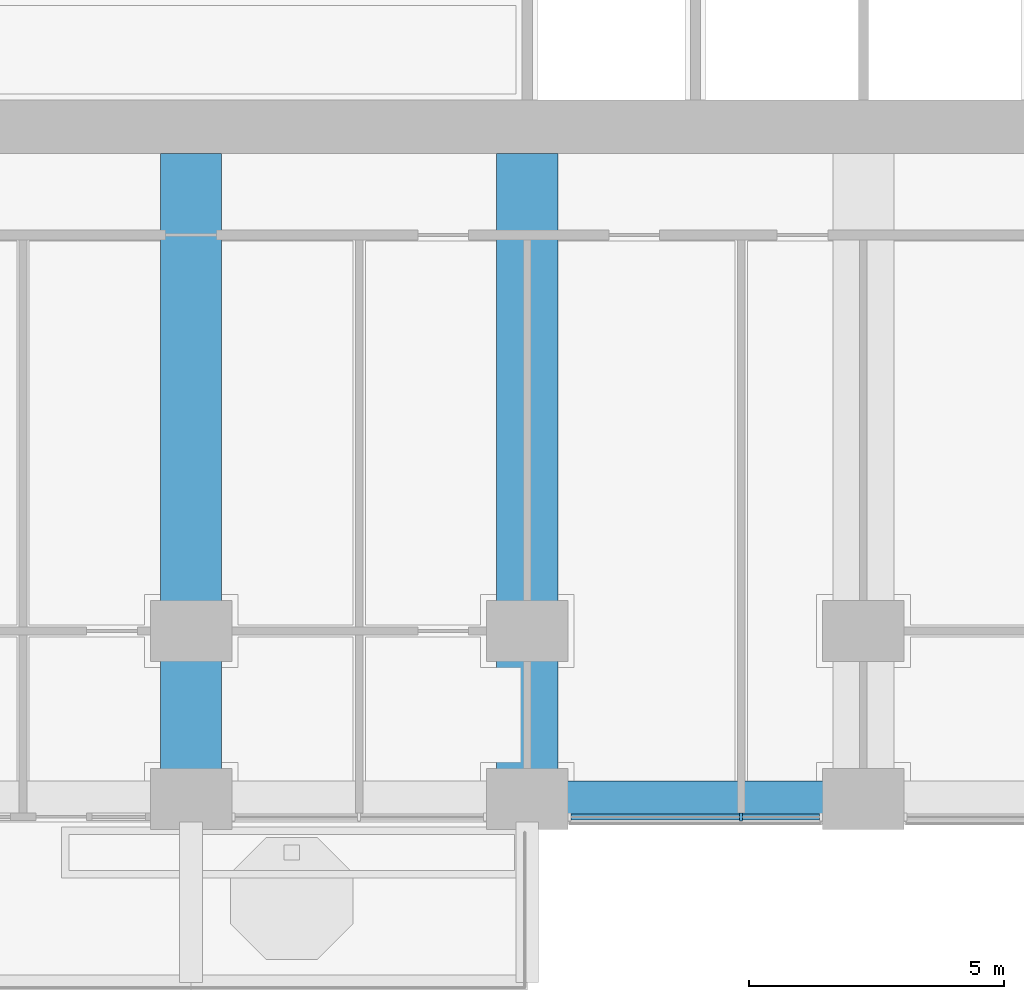
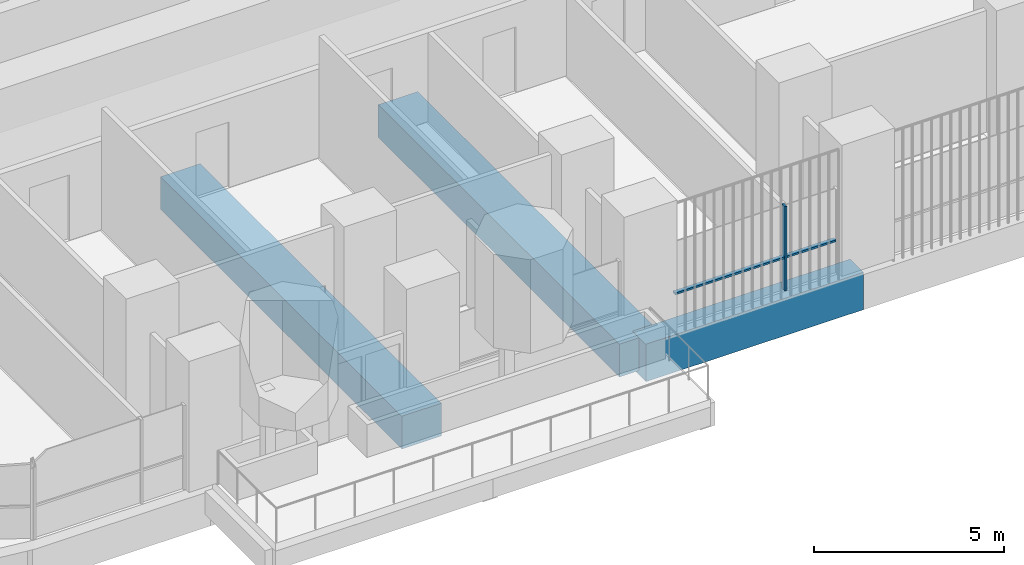
# One storey, part 3 of 21: 3 beams, 3 members, 1 element without a shape of its own.
"""IFC4 building model written with IfcOpenShell, lengths in metres."""

import ifcopenshell
import ifcopenshell.guid

model = None  # the IFC model being written
_history = None  # IfcOwnerHistory: only IFC2X3 demands one
_inside = {}  # id of a spatial element -> (the spatial element, [elements in it])
_under = {}  # id of a project, library or spatial element -> (it, [spatial elements below it])
_declared = {}  # id of a project -> (the project, [libraries it declares])
_typed = {}  # id of a type object -> (the type object, [elements of that type])
_made_of = {}  # id of a material, layer set ... -> (it, [elements and type objects made of it])


def new_model(schema):
    """Start an empty IFC model of exactly this schema.

    Asked for "IFC4X3", IfcOpenShell would pick the latest addendum, in which some entities
    have other attributes; the version numbers below select the first issue.
    IFC2X3 requires an IfcOwnerHistory on every rooted entity: one is made here for all.
    """
    global model, _history
    if schema == "IFC4X3":
        model = ifcopenshell.file(schema_version=(4, 3, 0, 0))
    else:
        model = ifcopenshell.file(schema=schema)
    _inside.clear()
    _under.clear()
    _declared.clear()
    _typed.clear()
    _made_of.clear()
    _history = None
    if model.schema == "IFC2X3":
        org = make("IfcOrganization", Name="unknown")
        user = make(
            "IfcPersonAndOrganization",
            ThePerson=make("IfcPerson", FamilyName="unknown"),
            TheOrganization=org,
        )
        app = make(
            "IfcApplication",
            ApplicationDeveloper=org,
            Version="unknown",
            ApplicationFullName="unknown",
            ApplicationIdentifier="unknown",
        )
        _history = make(
            "IfcOwnerHistory",
            OwningUser=user,
            OwningApplication=app,
            ChangeAction="ADDED",
            CreationDate=0,
        )
    return model


def make(cls, **values):
    """One entity of the class cls with the attributes given. An attribute that is None is left unset."""
    return model.create_entity(
        cls, **{name: value for name, value in values.items() if value is not None}
    )


def rooted(cls, **values):
    """An entity with a GlobalId (a new one), such as an element, a storey or a relation."""
    return make(cls, GlobalId=ifcopenshell.guid.new(), OwnerHistory=_history, **values)


def si_unit(unit_type, name, prefix=None):
    """IfcSIUnit, for example si_unit("LENGTHUNIT", "METRE", prefix="MILLI")."""
    return make("IfcSIUnit", UnitType=unit_type, Prefix=prefix, Name=name)


def assignment(units):
    """IfcUnitAssignment: the units of a project."""
    return None if units is None else make("IfcUnitAssignment", Units=units)


def point(xyz):
    """IfcCartesianPoint."""
    return None if xyz is None else make("IfcCartesianPoint", Coordinates=xyz)


def direction(xyz):
    """IfcDirection."""
    return None if xyz is None else make("IfcDirection", DirectionRatios=xyz)


def frame(location, z_axis=None, x_axis=None):
    """IfcAxis2Placement3D, a coordinate frame: its origin and axes. An axis left out is left unset."""
    return make(
        "IfcAxis2Placement3D",
        Location=point(location),
        Axis=direction(z_axis),
        RefDirection=direction(x_axis),
    )


def frame_2d(location, x_axis=None):
    """IfcAxis2Placement2D, a coordinate frame in the plane: its origin and x axis."""
    return make(
        "IfcAxis2Placement2D", Location=point(location), RefDirection=direction(x_axis)
    )


def origin():
    """The frame at (0, 0, 0) with its axes left unset."""
    return frame((0.0, 0.0, 0.0))


def origin_2d():
    """The frame at (0, 0) in the plane with its x axis left unset."""
    return frame_2d((0.0, 0.0))


def place(relative_to, where):
    """IfcLocalPlacement: puts the frame where relative to a parent placement (None: the world)."""
    return make(
        "IfcLocalPlacement", PlacementRelTo=relative_to, RelativePlacement=where
    )


def context(
    kind, dimensions, precision=None, world=None, true_north=None, identifier=None
):
    """IfcGeometricRepresentationContext, for example the 3D "Model" context."""
    return make(
        "IfcGeometricRepresentationContext",
        ContextIdentifier=identifier,
        ContextType=kind,
        CoordinateSpaceDimension=dimensions,
        Precision=precision,
        WorldCoordinateSystem=world,
        TrueNorth=true_north,
    )


def subcontext(parent, identifier, kind, view, scale=None):
    """IfcGeometricRepresentationSubContext, for example "Body" below "Model"."""
    return make(
        "IfcGeometricRepresentationSubContext",
        ContextIdentifier=identifier,
        ContextType=kind,
        ParentContext=parent,
        TargetScale=scale,
        TargetView=view,
    )


def project(units=None, contexts=None):
    """IfcProject with its units and contexts."""
    return rooted(
        "IfcProject",
        Name="project",
        RepresentationContexts=contexts,
        UnitsInContext=assignment(units),
    )


def spatial(cls, under=None, at=None, **own):
    """A site, building, storey or space (cls), placed at a placement, below another one or the project."""
    s = rooted(cls, ObjectPlacement=at, **own)
    if under is not None:
        _under.setdefault(under.id(), (under, []))[1].append(s)
    return s


def profile(cls, at=None, kind="AREA", **sizes):
    """A parametric profile (cls). Its sizes go by their IFC names, for example OverallWidth=200.0."""
    return make(cls, ProfileType=kind, Position=at, **sizes)


def rectangle(**sizes):
    """IfcRectangleProfileDef."""
    return profile("IfcRectangleProfileDef", **sizes)


def extrude(swept, where, along, depth):
    """IfcExtrudedAreaSolid: the profile swept, set in the frame where, extruded along a direction by depth."""
    return make(
        "IfcExtrudedAreaSolid",
        SweptArea=swept,
        Position=where,
        ExtrudedDirection=direction(along),
        Depth=depth,
    )


def shape(context_of_items, identifier, shape_type, items):
    """IfcShapeRepresentation: the items that make up one representation, for example the "Body"."""
    return make(
        "IfcShapeRepresentation",
        ContextOfItems=context_of_items,
        RepresentationIdentifier=identifier,
        RepresentationType=shape_type,
        Items=items,
    )


def material(Name=None, Category=None):
    """IfcMaterial."""
    return make("IfcMaterial", Name=Name, Category=Category)


def material_profile(
    of_material, cross_section, Name=None, Category=None, Priority=None
):
    """IfcMaterialProfile: a cross section and its material."""
    return make(
        "IfcMaterialProfile",
        Name=Name,
        Material=of_material,
        Profile=cross_section,
        Priority=Priority,
        Category=Category,
    )


def profile_set(profiles, Name=None, composite=None):
    """IfcMaterialProfileSet."""
    return make(
        "IfcMaterialProfileSet",
        Name=Name,
        MaterialProfiles=profiles,
        CompositeProfile=composite,
    )


def made_of(thing, what):
    """Note that an element or type object is made of a material, layer set ...; save() writes the relation."""
    if what is not None:
        _made_of.setdefault(what.id(), (what, []))[1].append(thing)
    return thing


def type_object(cls, material=None, **own):
    """A type object (cls), such as IfcWallType, which elements share."""
    return made_of(rooted(cls, **own), material)


def element(
    cls,
    number,
    at=None,
    inside=None,
    cuts=None,
    type_object=None,
    material=None,
    context=None,
    identifier="Body",
    shape_type=None,
    held_by="IfcProductDefinitionShape",
    body=None,
    shapes=None,
    **own,
):
    """One element of the class cls, such as IfcWall. Its Tag is "e" and its number.

    at: its placement. inside: the storey or other place that contains it. cuts: it is an
    opening in that element (IfcRelVoidsElement). A single representation is given by context,
    identifier, shape_type and body (its items); several are given by shapes. held_by: the class
    of the entity that holds the representations. save() writes the other relations.
    """
    e = rooted(cls, Tag="e%d" % number, ObjectPlacement=at, **own)
    if body is not None:
        shapes = [shape(context, identifier, shape_type, body)]
    if shapes is not None:
        e.Representation = make(held_by, Representations=shapes)
    if inside is not None:
        _inside.setdefault(inside.id(), (inside, []))[1].append(e)
    if cuts is not None:
        rooted(
            "IfcRelVoidsElement", RelatingBuildingElement=cuts, RelatedOpeningElement=e
        )
    if type_object is not None:
        _typed.setdefault(type_object.id(), (type_object, []))[1].append(e)
    return made_of(e, material)


def aggregate(whole, parts):
    """IfcRelAggregates: a whole, such as a stair, and the parts it consists of."""
    return rooted("IfcRelAggregates", RelatingObject=whole, RelatedObjects=parts)


def save(model, path):
    """Write the relations noted so far, then the file.

    IfcRelAggregates (storeys below a building ...), IfcRelContainedInSpatialStructure (elements
    in a storey), IfcRelDefinesByType, IfcRelAssociatesMaterial and IfcRelDeclares: one each for
    every whole, place, type object, material and project.
    """
    for whole, parts in _under.values():
        aggregate(whole, parts)
    for where, things in _inside.values():
        rooted(
            "IfcRelContainedInSpatialStructure",
            RelatedElements=things,
            RelatingStructure=where,
        )
    for kind, things in _typed.values():
        rooted("IfcRelDefinesByType", RelatedObjects=things, RelatingType=kind)
    for what, things in _made_of.values():
        rooted("IfcRelAssociatesMaterial", RelatedObjects=things, RelatingMaterial=what)
    for by, libraries in _declared.values():
        rooted("IfcRelDeclares", RelatingContext=by, RelatedDefinitions=libraries)
    model.write(path)


model = new_model("IFC4")

# Units and contexts
model_context = context("Model", 3, precision=1e-05, world=origin(), true_north=direction((0.0, 1.0)))
body_context = subcontext(model_context, "Body", "Model", "MODEL_VIEW")
ifc_project = project(units=[si_unit("LENGTHUNIT", "METRE"), si_unit("AREAUNIT", "SQUARE_METRE"), si_unit("VOLUMEUNIT", "CUBIC_METRE"), si_unit("PLANEANGLEUNIT", "RADIAN"), si_unit("MASSUNIT", "GRAM", prefix="KILO")], contexts=[model_context])

# Site, building, storey
site_placement = place(None, origin())
site = spatial("IfcSite", under=ifc_project, at=site_placement, CompositionType="ELEMENT")
building_placement = place(site_placement, origin())
building = spatial("IfcBuilding", under=site, at=building_placement, Name="Cobogo Forest Laboratory Tower", CompositionType="ELEMENT")
storey_placement = place(building_placement, frame((0.0, 0.0, 99.0)))
storey = spatial("IfcBuildingStorey", under=building, at=storey_placement, Name="L22", CompositionType="ELEMENT", Elevation=99.0)

# Beams
ifc_material_1 = material(Name="Concrete HA-40 (C40/50)", Category="concrete")
ifc_material_profile_1 = material_profile(ifc_material_1, rectangle(XDim=1.199951171875, YDim=1.050048828125, at=origin_2d()), Name="RC 1200x1050")
ifc_profile_set_1 = profile_set([ifc_material_profile_1], Name="Concrete HA-40 (C40/50)")
beam_type_1 = type_object("IfcBeamType", Name="Laboratory floor wide beam 1200x1050", PredefinedType="BEAM", material=ifc_profile_set_1)
for number, where, z_axis, x_axis, name in (
    (1, (19.800048828125, 12.675048828125, -0.824951171875), (0.0, -1.0, 0.0), (1.0, 0.0, 0.0), "RB1 R-4-S L22"),
    (2, (26.39990234375, 12.675048828125, -0.824951171875), (0.0, -1.0, 0.0), (1.0, 0.0, 0.0), "RB1 R-5-S L22"),
):
    element("IfcBeam", number, at=place(storey_placement, frame(where, z_axis=z_axis, x_axis=x_axis)), inside=storey, type_object=beam_type_1, Name=name, PredefinedType="BEAM", context=body_context, shape_type="SweptSolid", body=[
        extrude(rectangle(XDim=1.199951171875, YDim=1.050048828125, at=origin_2d()), origin(), (0.0, 0.0, 1.0), 12.675048828125),
    ])

# Curtain wall, member
ifc_material_2 = material(Name="Aluminium curtain wall", Category="aluminium")
curtain_wall_type = type_object("IfcCurtainWallType", Name="CW-1 unitised curtain wall, clear glazing, laboratory floors zones A and B", PredefinedType="USERDEFINED", material=ifc_material_2)
curtain_wall_placement = place(storey_placement, origin())
curtain_wall = element("IfcCurtainWall", 3, at=curtain_wall_placement, inside=storey, type_object=curtain_wall_type, Name="Curtain wall 04 L22", ObjectType="UNITISED CURTAIN WALL", PredefinedType="USERDEFINED")
ifc_material_3 = material(Name="Aluminium mullion", Category="aluminium")
ifc_material_profile_2 = material_profile(ifc_material_3, rectangle(XDim=0.06005859375, YDim=0.159912109375, at=origin_2d()), Name="AL 60x160")
ifc_profile_set_2 = profile_set([ifc_material_profile_2], Name="Aluminium mullion")
member_type_1 = type_object("IfcMemberType", Name="MU-1 aluminium mullion 60x160", PredefinedType="MULLION", material=ifc_profile_set_2)
member_1_placement = place(storey_placement, frame((30.60009765625, -0.35009765625, 0.0), z_axis=(0.0, 0.0, 1.0), x_axis=(1.0, 0.0, 0.0)))
member_1 = element("IfcMember", 4, at=member_1_placement, type_object=member_type_1, Name="CW-1 mullion 2", PredefinedType="MULLION", context=body_context, shape_type="SweptSolid", body=[
    extrude(rectangle(XDim=0.06005859375, YDim=0.159912109375, at=origin_2d()), origin(), (0.0, 0.0, 1.0), 2.699951171875),
])

# Beam
ifc_material_profile_3 = material_profile(ifc_material_1, rectangle(XDim=0.699951171875, YDim=1.199951171875, at=origin_2d()), Name="RC 700x1200")
ifc_profile_set_3 = profile_set([ifc_material_profile_3], Name="Concrete HA-40 (C40/50)")
beam_type_2 = type_object("IfcBeamType", Name="Perimeter edge beam 700x1200", PredefinedType="BEAM", material=ifc_profile_set_3)
beam_placement = place(storey_placement, frame((26.39990234375, 0.0, -0.89990234375), z_axis=(1.0, 0.0, 0.0), x_axis=(0.0, 1.0, 0.0)))
element("IfcBeam", 5, at=beam_placement, inside=storey, type_object=beam_type_2, Name="EB1 E-S3 L22", PredefinedType="BEAM", context=body_context, shape_type="SweptSolid", body=[
    extrude(rectangle(XDim=0.699951171875, YDim=1.199951171875, at=origin_2d()), origin(), (0.0, 0.0, 1.0), 6.60009765625),
])

# Member
ifc_material_4 = material(Name="Aluminium transom", Category="aluminium")
ifc_material_profile_4 = material_profile(ifc_material_4, rectangle(XDim=0.1201171875, YDim=0.06005859375, at=origin_2d()), Name="AL 60x120")
ifc_profile_set_4 = profile_set([ifc_material_profile_4], Name="Aluminium transom")
member_type_2 = type_object("IfcMemberType", Name="TR-1 aluminium transom 60x120", PredefinedType="USERDEFINED", material=ifc_profile_set_4)
member_2_placement = place(storey_placement, frame((27.260009765625, -0.35009765625, 1.050048828125), z_axis=(1.0, 0.0, 0.0), x_axis=(0.0, 1.0, 0.0)))
member_2 = element("IfcMember", 6, at=member_2_placement, type_object=member_type_2, Name="CW-1 transom 1.1", ObjectType="TRANSOM", PredefinedType="USERDEFINED", context=body_context, shape_type="SweptSolid", body=[
    extrude(rectangle(XDim=0.1201171875, YDim=0.06005859375, at=origin_2d()), origin(), (0.0, 0.0, 1.0), 3.31005859375),
])

member_3_placement = place(storey_placement, frame((30.6298828125, -0.35009765625, 1.050048828125), z_axis=(1.0, 0.0, 0.0), x_axis=(0.0, 1.0, 0.0)))
member_3 = element("IfcMember", 7, at=member_3_placement, type_object=member_type_2, Name="CW-1 transom 2.1", ObjectType="TRANSOM", PredefinedType="USERDEFINED", context=body_context, shape_type="SweptSolid", body=[
    extrude(rectangle(XDim=0.1201171875, YDim=0.06005859375, at=origin_2d()), origin(), (0.0, 0.0, 1.0), 1.510009765625),
])

aggregate(curtain_wall, [member_1, member_2, member_3])

save(model, "model.ifc")
